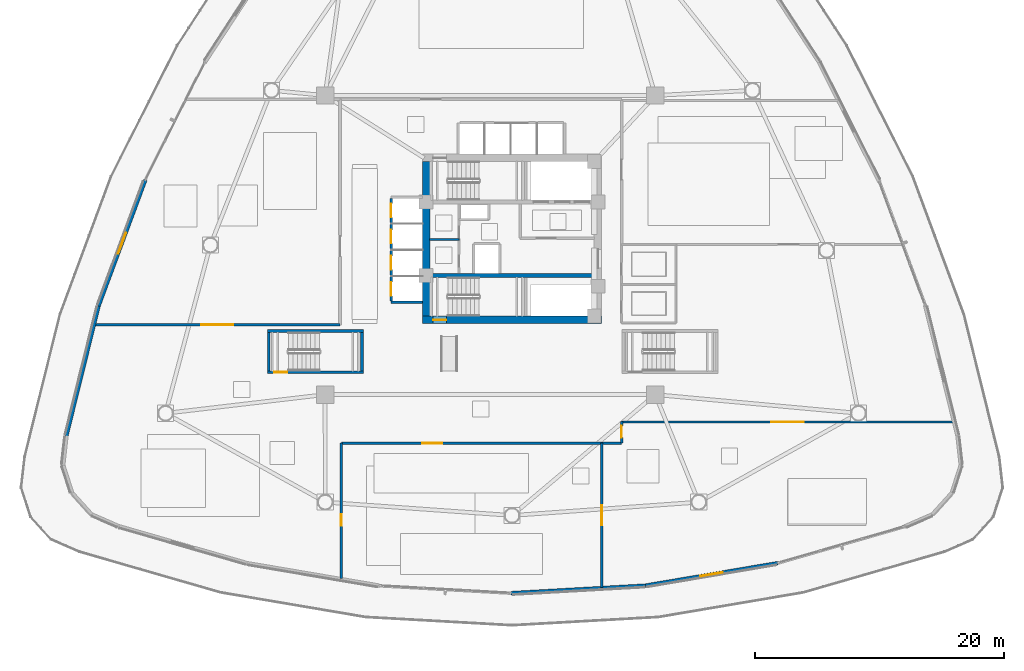
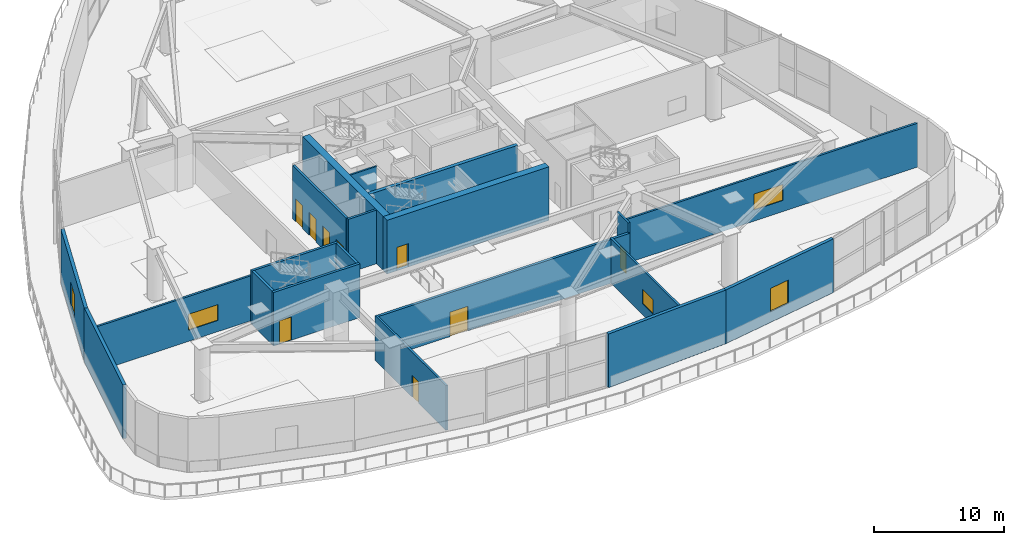
# One storey, part 13 of 25: 20 walls, 9 doors, 5 windows, 14 openings.
"""IFC4 building model written with IfcOpenShell, lengths in metres."""

from ifc_helpers import new_model, si_unit, direction, frame, frame_2d, origin, place, context, subcontext, project, spatial, rectangle, extrude, material, layer, layer_set, type_object, element, fill, save


model = new_model("IFC4")

# Units and contexts
model_context = context("Model", 3, precision=1e-05, world=origin(), true_north=direction((0.0, 1.0)))
body_context = subcontext(model_context, "Body", "Model", "MODEL_VIEW")
ifc_project = project(units=[si_unit("LENGTHUNIT", "METRE"), si_unit("AREAUNIT", "SQUARE_METRE"), si_unit("VOLUMEUNIT", "CUBIC_METRE"), si_unit("PLANEANGLEUNIT", "RADIAN"), si_unit("MASSUNIT", "GRAM", prefix="KILO")], contexts=[model_context])

# Site, building, storey
site_placement = place(None, origin())
site = spatial("IfcSite", under=ifc_project, at=site_placement, CompositionType="ELEMENT")
building_placement = place(site_placement, origin())
building = spatial("IfcBuilding", under=site, at=building_placement, Name="Tavelor Broadcast Tower", CompositionType="ELEMENT")
storey_placement = place(building_placement, frame((0.0, 0.0, 11.39990234375)))
storey = spatial("IfcBuildingStorey", under=building, at=storey_placement, Name="L02", CompositionType="ELEMENT", Elevation=11.39990234375)

# Wall, opening, door
ifc_material_1 = material(Name="Concrete C60/75", Category="concrete")
ifc_layer_1 = layer(ifc_material_1, 0.60009765625)
ifc_layer_set_1 = layer_set([ifc_layer_1], Name="Concrete C60/75")
wall_type_1 = type_object("IfcWallType", Name="Core Shear Wall 600 mm", PredefinedType="SHEAR", material=ifc_layer_set_1)
wall_1_placement = place(storey_placement, frame((42.800048828125, 38.5, 0.0), z_axis=(0.0, 0.0, 1.0), x_axis=(1.0, 0.0, 0.0)))
wall_1 = element("IfcWall", 1, at=wall_1_placement, inside=storey, type_object=wall_type_1, Name="L02 Central Core Shear Wall S", PredefinedType="SHEAR", context=body_context, shape_type="SweptSolid", body=[
    extrude(rectangle(XDim=14.39990234375, YDim=0.60009765625, at=frame_2d((7.199951171875, 0.0))), origin(), (0.0, 0.0, 1.0), 5.050048828125),
])
opening_1_placement = place(wall_1_placement, frame((0.8798828125, 0.0, 0.0)))
opening_1 = element("IfcOpeningElement", 2, at=opening_1_placement, cuts=wall_1, Name="Opening DR11", PredefinedType="OPENING", context=body_context, shape_type="SweptSolid", body=[
    extrude(rectangle(XDim=1.050048828125, YDim=2.199951171875, at=frame_2d((0.52490234375, 1.10009765625))), frame((0.0, 0.31005859375, 0.0), z_axis=(0.0, -1.0, 0.0), x_axis=(1.0, 0.0, 0.0)), (0.0, 0.0, 1.0), 0.6201171875),
])
ifc_material_2 = material(Name="Steel S355", Category="steel")
door_type_1 = type_object("IfcDoorType", Name="Stair Core Fire Escape Door 1050x2200", OperationType="NOTDEFINED", PredefinedType="DOOR", material=ifc_material_2)
door_1_placement = place(opening_1_placement, origin())
door_1 = element("IfcDoor", 3, at=door_1_placement, inside=storey, type_object=door_type_1, Name="L02 Stair ST2 Protected Exit Door", OperationType="SINGLE_SWING_RIGHT", OverallHeight=2.199951171875, OverallWidth=1.050048828125, PredefinedType="DOOR", context=body_context, shape_type="SweptSolid", body=[
    extrude(rectangle(XDim=1.050048828125, YDim=2.199951171875, at=frame_2d((0.52490234375, 1.10009765625))), frame((0.0, 0.02490234375, 0.0), z_axis=(0.0, -1.0, 0.0), x_axis=(1.0, 0.0, 0.0)), (0.0, 0.0, 1.0), 0.050048828125),
])
fill(opening_1, door_1)

# Walls
wall_2_placement = place(storey_placement, frame((43.10009765625, 38.800048828125, 0.0), z_axis=(0.0, 0.0, 1.0), x_axis=(0.0, 1.0, 0.0)))
element("IfcWall", 4, at=wall_2_placement, inside=storey, type_object=wall_type_1, Name="L02 Central Core Shear Wall W", PredefinedType="SHEAR", context=body_context, shape_type="SweptSolid", body=[
    extrude(rectangle(XDim=12.39990234375, YDim=0.60009765625, at=frame_2d((6.199951171875, 0.0))), origin(), (0.0, 0.0, 1.0), 5.050048828125),
])
ifc_layer_2 = layer(ifc_material_1, 0.300048828125)
ifc_layer_set_2 = layer_set([ifc_layer_2], Name="Concrete C60/75")
wall_type_2 = type_object("IfcWallType", Name="Core Spine Shear Wall 300 mm C60", PredefinedType="SHEAR", material=ifc_layer_set_2)
wall_3_placement = place(storey_placement, frame((43.39990234375, 42.050048828125, 0.0), z_axis=(0.0, 0.0, 1.0), x_axis=(1.0, 0.0, 0.0)))
element("IfcWall", 5, at=wall_3_placement, inside=storey, type_object=wall_type_2, Name="L02 Central Core Shear Wall SP2", PredefinedType="SHEAR", context=body_context, shape_type="SweptSolid", body=[
    extrude(rectangle(XDim=13.2001953125, YDim=0.300048828125, at=frame_2d((6.60009765625, 0.0))), origin(), (0.0, 0.0, 1.0), 5.050048828125),
])

# Wall, opening, door
ifc_material_3 = material(Name="Calcium Silicate Fire Board 180 mm", Category="gypsum")
ifc_layer_3 = layer(ifc_material_3, 0.179931640625)
ifc_layer_set_3 = layer_set([ifc_layer_3], Name="Calcium Silicate Fire Board 180 mm")
wall_type_3 = type_object("IfcWallType", Name="Fire-Rated Corridor Partition Wall 180 mm", PredefinedType="PARTITIONING", material=ifc_layer_set_3)
wall_4_placement = place(storey_placement, frame((36.300048828125, 17.730712890625, 0.0), z_axis=(0.0, 0.0, 1.0), x_axis=(0.0, 1.0, 0.0)))
wall_4 = element("IfcWall", 6, at=wall_4_placement, inside=storey, type_object=wall_type_3, Name="L02 South-West Wing Wall", PredefinedType="PARTITIONING", context=body_context, shape_type="SweptSolid", body=[
    extrude(rectangle(XDim=10.869384765625, YDim=0.179931640625, at=frame_2d((5.4345703125, 0.0))), origin(), (0.0, 0.0, 1.0), 4.22509765625),
])
opening_2_placement = place(wall_4_placement, frame((4.22998046875, 0.0, 0.0)))
opening_2 = element("IfcOpeningElement", 7, at=opening_2_placement, cuts=wall_4, Name="Opening DR18", PredefinedType="OPENING", context=body_context, shape_type="SweptSolid", body=[
    extrude(rectangle(XDim=0.949951171875, YDim=2.050048828125, at=frame_2d((0.47509765625, 1.02490234375))), frame((0.0, 0.10009765625, 0.0), z_axis=(0.0, -1.0, 0.0), x_axis=(1.0, 0.0, 0.0)), (0.0, 0.0, 1.0), 0.199951171875),
])
ifc_material_4 = material(Name="Timber Solid Core Hardwood", Category="wood")
door_type_2 = type_object("IfcDoorType", Name="Corridor Rated Compartment Door 950x2050", OperationType="NOTDEFINED", PredefinedType="DOOR", material=ifc_material_4)
door_2_placement = place(opening_2_placement, origin())
door_2 = element("IfcDoor", 8, at=door_2_placement, inside=storey, type_object=door_type_2, Name="L02 Music Mixing Control Room Door", OperationType="SINGLE_SWING_RIGHT", OverallHeight=2.050048828125, OverallWidth=0.949951171875, PredefinedType="DOOR", context=body_context, shape_type="SweptSolid", body=[
    extrude(rectangle(XDim=0.949951171875, YDim=2.050048828125, at=frame_2d((0.47509765625, 1.02490234375))), frame((0.0, 0.02490234375, 0.0), z_axis=(0.0, -1.0, 0.0), x_axis=(1.0, 0.0, 0.0)), (0.0, 0.0, 1.0), 0.050048828125),
])
fill(opening_2, door_2)

wall_5_placement = place(storey_placement, frame((58.800048828125, 28.60009765625, 0.0), z_axis=(0.0, 0.0, 1.0), x_axis=(0.0, 1.0, 0.0)))
wall_5 = element("IfcWall", 9, at=wall_5_placement, inside=storey, type_object=wall_type_3, Name="L02 South-East Concourse Door Wall", PredefinedType="PARTITIONING", context=body_context, shape_type="SweptSolid", body=[
    extrude(rectangle(XDim=1.75, YDim=0.179931640625, at=frame_2d((0.875, 0.0))), origin(), (0.0, 0.0, 1.0), 5.050048828125),
])
opening_3_placement = place(wall_5_placement, frame((0.449951171875, 0.0, 0.0)))
opening_3 = element("IfcOpeningElement", 10, at=opening_3_placement, cuts=wall_5, Name="Opening DR18", PredefinedType="OPENING", context=body_context, shape_type="SweptSolid", body=[
    extrude(rectangle(XDim=0.949951171875, YDim=2.050048828125, at=frame_2d((0.47509765625, 1.02490234375))), frame((0.0, 0.10009765625, 0.0), z_axis=(0.0, -1.0, 0.0), x_axis=(1.0, 0.0, 0.0)), (0.0, 0.0, 1.0), 0.199951171875),
])
door_3_placement = place(opening_3_placement, origin())
door_3 = element("IfcDoor", 11, at=door_3_placement, inside=storey, type_object=door_type_2, Name="L02 Sound Effects Library Concourse Door", OperationType="SINGLE_SWING_LEFT", OverallHeight=2.050048828125, OverallWidth=0.949951171875, PredefinedType="DOOR", context=body_context, shape_type="SweptSolid", body=[
    extrude(rectangle(XDim=0.949951171875, YDim=2.050048828125, at=frame_2d((0.47509765625, 1.02490234375))), frame((0.0, 0.02490234375, 0.0), z_axis=(0.0, -1.0, 0.0), x_axis=(1.0, 0.0, 0.0)), (0.0, 0.0, 1.0), 0.050048828125),
])
fill(opening_3, door_3)

# Wall, opening, window
wall_6_placement = place(storey_placement, frame((58.800048828125, 30.300048828125, 0.0), z_axis=(0.0, 0.0, 1.0), x_axis=(1.0, 0.0, 0.0)))
wall_6 = element("IfcWall", 12, at=wall_6_placement, inside=storey, type_object=wall_type_3, Name="L02 South-East Wing North Wall", PredefinedType="PARTITIONING", context=body_context, shape_type="SweptSolid", body=[
    extrude(rectangle(XDim=26.6328125, YDim=0.179931640625, at=frame_2d((13.31640625, 0.0))), origin(), (0.0, 0.0, 1.0), 4.125),
])
opening_4_placement = place(wall_6_placement, frame((12.016357421875, 0.0, 1.050048828125)))
opening_4 = element("IfcOpeningElement", 13, at=opening_4_placement, cuts=wall_6, Name="Opening WN04", PredefinedType="OPENING", context=body_context, shape_type="SweptSolid", body=[
    extrude(rectangle(XDim=2.60009765625, YDim=1.5, at=frame_2d((1.300048828125, 0.75))), frame((0.0, 0.10009765625, 0.0), z_axis=(0.0, -1.0, 0.0), x_axis=(1.0, 0.0, 0.0)), (0.0, 0.0, 1.0), 0.199951171875),
])
ifc_material_5 = material(Name="Acoustic Double Glazing 28 mm", Category="glass")
window_type_1 = type_object("IfcWindowType", Name="Studio Control Gallery Triple-Glazed Observation Window 2600x1500", PartitioningType="SINGLE_PANEL", PredefinedType="WINDOW", material=ifc_material_5)
window_1_placement = place(opening_4_placement, origin())
window_1 = element("IfcWindow", 14, at=window_1_placement, inside=storey, type_object=window_type_1, Name="L02 Studio Acoustic Observation Window 011", OverallHeight=1.5, OverallWidth=2.60009765625, PartitioningType="SINGLE_PANEL", PredefinedType="WINDOW", context=body_context, shape_type="SweptSolid", body=[
    extrude(rectangle(XDim=2.60009765625, YDim=1.5, at=frame_2d((1.300048828125, 0.75))), frame((0.0, 0.030029296875, 0.0), z_axis=(0.0, -1.0, 0.0), x_axis=(1.0, 0.0, 0.0)), (0.0, 0.0, 1.0), 0.06005859375),
])
fill(opening_4, window_1)

wall_7_placement = place(storey_placement, frame((57.199951171875, 17.0234375, 0.0), z_axis=(0.0, 0.0, 1.0), x_axis=(0.0, 1.0, 0.0)))
wall_7 = element("IfcWall", 15, at=wall_7_placement, inside=storey, type_object=wall_type_3, Name="L02 South-East Wing West Wall", PredefinedType="PARTITIONING", context=body_context, shape_type="SweptSolid", body=[
    extrude(rectangle(XDim=11.57666015625, YDim=0.179931640625, at=frame_2d((5.788330078125, 0.0))), origin(), (0.0, 0.0, 1.0), 4.22509765625),
])
opening_5_placement = place(wall_7_placement, frame((4.98828125, 0.0, 1.050048828125)))
opening_5 = element("IfcOpeningElement", 16, at=opening_5_placement, cuts=wall_7, Name="Opening WN05", PredefinedType="OPENING", context=body_context, shape_type="SweptSolid", body=[
    extrude(rectangle(XDim=1.60009765625, YDim=1.35009765625, at=frame_2d((0.800048828125, 0.675048828125))), frame((0.0, 0.10009765625, 0.0), z_axis=(0.0, -1.0, 0.0), x_axis=(1.0, 0.0, 0.0)), (0.0, 0.0, 1.0), 0.199951171875),
])
window_type_2 = type_object("IfcWindowType", Name="Audio Booth Acoustic Observation Window 1600x1350", PartitioningType="SINGLE_PANEL", PredefinedType="WINDOW", material=ifc_material_5)
window_2_placement = place(opening_5_placement, origin())
window_2 = element("IfcWindow", 17, at=window_2_placement, inside=storey, type_object=window_type_2, Name="L02 Studio Acoustic Observation Window 012", OverallHeight=1.35009765625, OverallWidth=1.60009765625, PartitioningType="SINGLE_PANEL", PredefinedType="WINDOW", context=body_context, shape_type="SweptSolid", body=[
    extrude(rectangle(XDim=1.60009765625, YDim=1.35009765625, at=frame_2d((0.800048828125, 0.675048828125))), frame((0.0, 0.030029296875, 0.0), z_axis=(0.0, -1.0, 0.0), x_axis=(1.0, 0.0, 0.0)), (0.0, 0.0, 1.0), 0.06005859375),
])
fill(opening_5, window_2)

wall_8_placement = place(storey_placement, frame((16.50048828125, 38.10009765625, 0.0), z_axis=(0.0, 0.0, 1.0), x_axis=(1.0, 0.0, 0.0)))
wall_8 = element("IfcWall", 18, at=wall_8_placement, inside=storey, type_object=wall_type_3, Name="L02 West Hall South Wall", PredefinedType="PARTITIONING", context=body_context, shape_type="SweptSolid", body=[
    extrude(rectangle(XDim=19.699462890625, YDim=0.179931640625, at=frame_2d((9.849609375, 0.0))), origin(), (0.0, 0.0, 1.0), 4.22509765625),
])
opening_6_placement = place(wall_8_placement, frame((8.5498046875, 0.0, 1.050048828125)))
opening_6 = element("IfcOpeningElement", 19, at=opening_6_placement, cuts=wall_8, Name="Opening WN04", PredefinedType="OPENING", context=body_context, shape_type="SweptSolid", body=[
    extrude(rectangle(XDim=2.60009765625, YDim=1.5, at=frame_2d((1.300048828125, 0.75))), frame((0.0, 0.10009765625, 0.0), z_axis=(0.0, -1.0, 0.0), x_axis=(1.0, 0.0, 0.0)), (0.0, 0.0, 1.0), 0.199951171875),
])
window_3_placement = place(opening_6_placement, origin())
window_3 = element("IfcWindow", 20, at=window_3_placement, inside=storey, type_object=window_type_1, Name="L02 Studio Acoustic Observation Window 013", OverallHeight=1.5, OverallWidth=2.60009765625, PartitioningType="SINGLE_PANEL", PredefinedType="WINDOW", context=body_context, shape_type="SweptSolid", body=[
    extrude(rectangle(XDim=2.60009765625, YDim=1.5, at=frame_2d((1.300048828125, 0.75))), frame((0.0, 0.030029296875, 0.0), z_axis=(0.0, -1.0, 0.0), x_axis=(1.0, 0.0, 0.0)), (0.0, 0.0, 1.0), 0.06005859375),
])
fill(opening_6, window_3)

ifc_material_6 = material(Name="Precast Concrete C40/50", Category="concrete")
ifc_layer_4 = layer(ifc_material_6, 0.280029296875)
ifc_layer_set_4 = layer_set([ifc_layer_4], Name="Precast Concrete C40/50")
wall_type_4 = type_object("IfcWallType", Name="Insulated Precast Terracotta Facade Wall 280 mm", PredefinedType="STANDARD", material=ifc_layer_set_4)
wall_9_placement = place(storey_placement, frame((20.582763671875, 49.71240234375, 0.0), z_axis=(0.0, 0.0, 1.0), x_axis=(-0.347783760558, -0.937574773494, 0.0)))
wall_9 = element("IfcWall", 21, at=wall_9_placement, inside=storey, type_object=wall_type_4, Name="L02 Precast Terracotta Facade Wall 09", PredefinedType="STANDARD", context=body_context, shape_type="SweptSolid", body=[
    extrude(rectangle(XDim=10.806396484375, YDim=0.280029296875, at=frame_2d((5.4033203125, 0.0))), origin(), (0.0, 0.0, 1.0), 5.050048828125),
])
opening_7_placement = place(wall_9_placement, frame((4.503173828125, 0.0, 1.0)))
opening_7 = element("IfcOpeningElement", 22, at=opening_7_placement, cuts=wall_9, Name="Opening WN11", PredefinedType="OPENING", context=body_context, shape_type="SweptSolid", body=[
    extrude(rectangle(XDim=1.800048828125, YDim=2.199951171875, at=frame_2d((0.89990234375, 1.10009765625))), frame((0.0, 0.14990234375, 0.0), z_axis=(0.0, -1.0, 0.0), x_axis=(1.0, 0.0, 0.0)), (0.0, 0.0, 1.0), 0.300048828125),
])
window_type_3 = type_object("IfcWindowType", Name="Podium Studio Acoustic Punched Window 1800x2200", PartitioningType="SINGLE_PANEL", PredefinedType="WINDOW", material=ifc_material_5)
window_4_placement = place(opening_7_placement, origin())
window_4 = element("IfcWindow", 23, at=window_4_placement, inside=storey, type_object=window_type_3, Name="L02 Broadcast Facade Window 09", OverallHeight=2.199951171875, OverallWidth=1.800048828125, PartitioningType="SINGLE_PANEL", PredefinedType="WINDOW", context=body_context, shape_type="SweptSolid", body=[
    extrude(rectangle(XDim=1.800048828125, YDim=2.199951171875, at=frame_2d((0.89990234375, 1.10009765625))), frame((0.0, 0.030029296875, 0.0), z_axis=(0.0, -1.0, 0.0), x_axis=(1.0, 0.0, 0.0)), (0.0, 0.0, 1.0), 0.06005859375),
])
fill(opening_7, window_4)

# Walls
wall_10_placement = place(storey_placement, frame((16.833251953125, 39.609130859375, 0.0), z_axis=(0.0, 0.0, 1.0), x_axis=(-0.240573262199, -0.970630983183, 0.0)))
element("IfcWall", 24, at=wall_10_placement, inside=storey, type_object=wall_type_4, Name="L02 Precast Terracotta Facade Wall 10", PredefinedType="STANDARD", context=body_context, shape_type="SweptSolid", body=[
    extrude(rectangle(XDim=10.74609375, YDim=0.280029296875, at=frame_2d((5.373046875, 0.0))), origin(), (0.0, 0.0, 1.0), 5.050048828125),
])
wall_11_placement = place(storey_placement, frame((49.926025390625, 16.57470703125, 0.0), z_axis=(0.0, 0.0, 1.0), x_axis=(0.998425400469, 0.056095629935, 0.0)))
element("IfcWall", 25, at=wall_11_placement, inside=storey, type_object=wall_type_4, Name="L02 Precast Terracotta Facade Wall 18", PredefinedType="STANDARD", context=body_context, shape_type="SweptSolid", body=[
    extrude(rectangle(XDim=10.806640625, YDim=0.280029296875, at=frame_2d((5.4033203125, 0.0))), origin(), (0.0, 0.0, 1.0), 5.050048828125),
])

# Wall, opening, window
wall_12_placement = place(storey_placement, frame((60.685791015625, 17.177490234375, 0.0), z_axis=(0.0, 0.0, 1.0), x_axis=(0.985852561555, 0.16761481699, 0.0)))
wall_12 = element("IfcWall", 26, at=wall_12_placement, inside=storey, type_object=wall_type_4, Name="L02 Precast Terracotta Facade Wall 19", PredefinedType="STANDARD", context=body_context, shape_type="SweptSolid", body=[
    extrude(rectangle(XDim=10.80615234375, YDim=0.280029296875, at=frame_2d((5.403076171875, 0.0))), origin(), (0.0, 0.0, 1.0), 5.050048828125),
])
opening_8_placement = place(wall_12_placement, frame((4.503173828125, 0.0, 1.0)))
opening_8 = element("IfcOpeningElement", 27, at=opening_8_placement, cuts=wall_12, Name="Opening WN11", PredefinedType="OPENING", context=body_context, shape_type="SweptSolid", body=[
    extrude(rectangle(XDim=1.800048828125, YDim=2.199951171875, at=frame_2d((0.89990234375, 1.10009765625))), frame((0.0, 0.14990234375, 0.0), z_axis=(0.0, -1.0, 0.0), x_axis=(1.0, 0.0, 0.0)), (0.0, 0.0, 1.0), 0.300048828125),
])
window_5_placement = place(opening_8_placement, origin())
window_5 = element("IfcWindow", 28, at=window_5_placement, inside=storey, type_object=window_type_3, Name="L02 Broadcast Facade Window 19", OverallHeight=2.199951171875, OverallWidth=1.800048828125, PartitioningType="SINGLE_PANEL", PredefinedType="WINDOW", context=body_context, shape_type="SweptSolid", body=[
    extrude(rectangle(XDim=1.800048828125, YDim=2.199951171875, at=frame_2d((0.89990234375, 1.10009765625))), frame((0.0, 0.030029296875, 0.0), z_axis=(0.0, -1.0, 0.0), x_axis=(1.0, 0.0, 0.0)), (0.0, 0.0, 1.0), 0.06005859375),
])
fill(opening_8, window_5)

# Wall
ifc_material_7 = material(Name="Gypsum Acoustic Plasterboard 150 mm", Category="gypsum")
ifc_layer_5 = layer(ifc_material_7, 0.14990234375)
ifc_layer_set_5 = layer_set([ifc_layer_5], Name="Gypsum Acoustic Plasterboard 150 mm")
wall_type_5 = type_object("IfcWallType", Name="Interior Acoustic Partition Wall 150 mm", PredefinedType="PARTITIONING", material=ifc_layer_set_5)
wall_13_placement = place(storey_placement, frame((43.39990234375, 44.949951171875, 0.0), z_axis=(0.0, 0.0, 1.0), x_axis=(1.0, 0.0, 0.0)))
element("IfcWall", 29, at=wall_13_placement, inside=storey, type_object=wall_type_5, Name="L02 Core Split Wall A", PredefinedType="PARTITIONING", context=body_context, shape_type="SweptSolid", body=[
    extrude(rectangle(XDim=2.35009765625, YDim=0.14990234375, at=frame_2d((1.175048828125, 0.0))), origin(), (0.0, 0.0, 1.0), 5.050048828125),
])

# Wall, openings, doors
ifc_material_8 = material(Name="Concrete Blockwork 200 mm", Category="masonry")
ifc_layer_6 = layer(ifc_material_8, 0.199951171875)
ifc_layer_set_6 = layer_set([ifc_layer_6], Name="Concrete Blockwork 200 mm")
wall_type_6 = type_object("IfcWallType", Name="Lift Hoistway Rated Front Wall 200 mm", PredefinedType="PARTITIONING", material=ifc_layer_set_6)
wall_14_placement = place(storey_placement, frame((40.300048828125, 40.02001953125, 0.0), z_axis=(0.0, 0.0, 1.0), x_axis=(0.0, 1.0, 0.0)))
wall_14 = element("IfcWall", 30, at=wall_14_placement, inside=storey, type_object=wall_type_6, Name="L02 Low-Rise Lift Hoistway Front Wall", PredefinedType="PARTITIONING", context=body_context, shape_type="SweptSolid", body=[
    extrude(rectangle(XDim=8.2099609375, YDim=0.199951171875, at=frame_2d((4.10498046875, 0.0))), origin(), (0.0, 0.0, 1.0), 5.050048828125),
])
opening_9_placement = place(wall_14_placement, frame((0.405029296875, 0.0, 0.0)))
opening_9 = element("IfcOpeningElement", 31, at=opening_9_placement, cuts=wall_14, Name="Opening LD01", PredefinedType="OPENING", context=body_context, shape_type="SweptSolid", body=[
    extrude(rectangle(XDim=1.10009765625, YDim=2.14990234375, at=frame_2d((0.550048828125, 1.074951171875))), frame((0.0, 0.10986328125, 0.0), z_axis=(0.0, -1.0, 0.0), x_axis=(1.0, 0.0, 0.0)), (0.0, 0.0, 1.0), 0.219970703125),
])
opening_10_placement = place(wall_14_placement, frame((2.5048828125, 0.0, 0.0)))
opening_10 = element("IfcOpeningElement", 32, at=opening_10_placement, cuts=wall_14, Name="Opening LD01", PredefinedType="OPENING", context=body_context, shape_type="SweptSolid", body=[
    extrude(rectangle(XDim=1.10009765625, YDim=2.14990234375, at=frame_2d((0.550048828125, 1.074951171875))), frame((0.0, 0.10986328125, 0.0), z_axis=(0.0, -1.0, 0.0), x_axis=(1.0, 0.0, 0.0)), (0.0, 0.0, 1.0), 0.219970703125),
])
opening_11_placement = place(wall_14_placement, frame((4.60498046875, 0.0, 0.0)))
opening_11 = element("IfcOpeningElement", 33, at=opening_11_placement, cuts=wall_14, Name="Opening LD01", PredefinedType="OPENING", context=body_context, shape_type="SweptSolid", body=[
    extrude(rectangle(XDim=1.10009765625, YDim=2.14990234375, at=frame_2d((0.550048828125, 1.074951171875))), frame((0.0, 0.10986328125, 0.0), z_axis=(0.0, -1.0, 0.0), x_axis=(1.0, 0.0, 0.0)), (0.0, 0.0, 1.0), 0.219970703125),
])
opening_12_placement = place(wall_14_placement, frame((6.705078125, 0.0, 0.0)))
opening_12 = element("IfcOpeningElement", 34, at=opening_12_placement, cuts=wall_14, Name="Opening LD01", PredefinedType="OPENING", context=body_context, shape_type="SweptSolid", body=[
    extrude(rectangle(XDim=1.10009765625, YDim=2.14990234375, at=frame_2d((0.550048828125, 1.074951171875))), frame((0.0, 0.10986328125, 0.0), z_axis=(0.0, -1.0, 0.0), x_axis=(1.0, 0.0, 0.0)), (0.0, 0.0, 1.0), 0.219970703125),
])
ifc_material_9 = material(Name="Brushed Stainless Steel", Category="steel")
door_type_3 = type_object("IfcDoorType", Name="Passenger Lift Sliding Landing Door 1100x2150", OperationType="NOTDEFINED", PredefinedType="DOOR", material=ifc_material_9)
door_4_placement = place(opening_9_placement, origin())
door_4 = element("IfcDoor", 35, at=door_4_placement, inside=storey, type_object=door_type_3, Name="L02 Lift PLL1 Sliding Landing Door", OperationType="SLIDING_TO_LEFT", OverallHeight=2.14990234375, OverallWidth=1.10009765625, PredefinedType="DOOR", context=body_context, shape_type="SweptSolid", body=[
    extrude(rectangle(XDim=1.10009765625, YDim=2.14990234375, at=frame_2d((0.550048828125, 1.074951171875))), frame((0.0, 0.02490234375, 0.0), z_axis=(0.0, -1.0, 0.0), x_axis=(1.0, 0.0, 0.0)), (0.0, 0.0, 1.0), 0.050048828125),
])
fill(opening_9, door_4)
door_5_placement = place(opening_10_placement, origin())
door_5 = element("IfcDoor", 36, at=door_5_placement, inside=storey, type_object=door_type_3, Name="L02 Lift PLL2 Sliding Landing Door", OperationType="SLIDING_TO_RIGHT", OverallHeight=2.14990234375, OverallWidth=1.10009765625, PredefinedType="DOOR", context=body_context, shape_type="SweptSolid", body=[
    extrude(rectangle(XDim=1.10009765625, YDim=2.14990234375, at=frame_2d((0.550048828125, 1.074951171875))), frame((0.0, 0.02490234375, 0.0), z_axis=(0.0, -1.0, 0.0), x_axis=(1.0, 0.0, 0.0)), (0.0, 0.0, 1.0), 0.050048828125),
])
fill(opening_10, door_5)
door_6_placement = place(opening_11_placement, origin())
door_6 = element("IfcDoor", 37, at=door_6_placement, inside=storey, type_object=door_type_3, Name="L02 Lift PLL3 Sliding Landing Door", OperationType="SLIDING_TO_LEFT", OverallHeight=2.14990234375, OverallWidth=1.10009765625, PredefinedType="DOOR", context=body_context, shape_type="SweptSolid", body=[
    extrude(rectangle(XDim=1.10009765625, YDim=2.14990234375, at=frame_2d((0.550048828125, 1.074951171875))), frame((0.0, 0.02490234375, 0.0), z_axis=(0.0, -1.0, 0.0), x_axis=(1.0, 0.0, 0.0)), (0.0, 0.0, 1.0), 0.050048828125),
])
fill(opening_11, door_6)
door_7_placement = place(opening_12_placement, origin())
door_7 = element("IfcDoor", 38, at=door_7_placement, inside=storey, type_object=door_type_3, Name="L02 Lift PLL4 Sliding Landing Door", OperationType="SLIDING_TO_RIGHT", OverallHeight=2.14990234375, OverallWidth=1.10009765625, PredefinedType="DOOR", context=body_context, shape_type="SweptSolid", body=[
    extrude(rectangle(XDim=1.10009765625, YDim=2.14990234375, at=frame_2d((0.550048828125, 1.074951171875))), frame((0.0, 0.02490234375, 0.0), z_axis=(0.0, -1.0, 0.0), x_axis=(1.0, 0.0, 0.0)), (0.0, 0.0, 1.0), 0.050048828125),
])
fill(opening_12, door_7)

# Wall
ifc_layer_7 = layer(ifc_material_8, 0.199951171875)
ifc_layer_set_7 = layer_set([ifc_layer_7], Name="Concrete Blockwork 200 mm")
wall_type_7 = type_object("IfcWallType", Name="Lift and Riser Shaft Enclosure Wall 200 mm", PredefinedType="PARTITIONING", material=ifc_layer_set_7)
wall_15_placement = place(storey_placement, frame((40.300048828125, 39.89990234375, 0.0), z_axis=(0.0, 0.0, 1.0), x_axis=(1.0, 0.0, 0.0)))
element("IfcWall", 39, at=wall_15_placement, inside=storey, type_object=wall_type_7, Name="L02 Low-Rise Lift Shaft South Wall", PredefinedType="PARTITIONING", context=body_context, shape_type="SweptSolid", body=[
    extrude(rectangle(XDim=2.5, YDim=0.199951171875, at=frame_2d((1.25, 0.0))), origin(), (0.0, 0.0, 1.0), 5.050048828125),
])

# Wall, opening, door
ifc_material_10 = material(Name="Concrete C40/50", Category="concrete")
ifc_layer_8 = layer(ifc_material_10, 0.219970703125)
ifc_layer_set_8 = layer_set([ifc_layer_8], Name="Concrete C40/50")
wall_type_8 = type_object("IfcWallType", Name="Structural Stairwell Shear Wall 220 mm", PredefinedType="SHEAR", material=ifc_layer_set_8)
wall_16_placement = place(storey_placement, frame((30.3798828125, 34.2900390625, 0.0), z_axis=(0.0, 0.0, 1.0), x_axis=(1.0, 0.0, 0.0)))
wall_16 = element("IfcWall", 40, at=wall_16_placement, inside=storey, type_object=wall_type_8, Name="L02 Stair ST3 Structural Shaft Wall S", PredefinedType="SHEAR", context=body_context, shape_type="SweptSolid", body=[
    extrude(rectangle(XDim=7.690185546875, YDim=0.219970703125, at=frame_2d((3.84521484375, 0.0))), origin(), (0.0, 0.0, 1.0), 5.050048828125),
])
opening_13_placement = place(wall_16_placement, frame((0.550048828125, 0.0, 0.0)))
opening_13 = element("IfcOpeningElement", 41, at=opening_13_placement, cuts=wall_16, Name="Opening DR11", PredefinedType="OPENING", context=body_context, shape_type="SweptSolid", body=[
    extrude(rectangle(XDim=1.050048828125, YDim=2.199951171875, at=frame_2d((0.52490234375, 1.10009765625))), frame((0.0, 0.1201171875, 0.0), z_axis=(0.0, -1.0, 0.0), x_axis=(1.0, 0.0, 0.0)), (0.0, 0.0, 1.0), 0.239990234375),
])
door_8_placement = place(opening_13_placement, origin())
door_8 = element("IfcDoor", 42, at=door_8_placement, inside=storey, type_object=door_type_1, Name="L02 Stair ST3 Protected Fire Door", OperationType="SINGLE_SWING_RIGHT", OverallHeight=2.199951171875, OverallWidth=1.050048828125, PredefinedType="DOOR", context=body_context, shape_type="SweptSolid", body=[
    extrude(rectangle(XDim=1.050048828125, YDim=2.199951171875, at=frame_2d((0.52490234375, 1.10009765625))), frame((0.0, 0.02490234375, 0.0), z_axis=(0.0, -1.0, 0.0), x_axis=(1.0, 0.0, 0.0)), (0.0, 0.0, 1.0), 0.050048828125),
])
fill(opening_13, door_8)

# Walls
wall_17_placement = place(storey_placement, frame((30.3798828125, 37.610107421875, 0.0), z_axis=(0.0, 0.0, 1.0), x_axis=(1.0, 0.0, 0.0)))
element("IfcWall", 43, at=wall_17_placement, inside=storey, type_object=wall_type_8, Name="L02 Stair ST3 Structural Shaft Wall N", PredefinedType="SHEAR", context=body_context, shape_type="SweptSolid", body=[
    extrude(rectangle(XDim=7.690185546875, YDim=0.219970703125, at=frame_2d((3.84521484375, 0.0))), origin(), (0.0, 0.0, 1.0), 5.050048828125),
])
for number, where, z_axis, x_axis, name in (
    (44, (37.9599609375, 34.39990234375, 0.0), (0.0, 0.0, 1.0), (0.0, 1.0, 0.0), "L02 Stair ST3 Structural Shaft Wall E"),
    (45, (30.489990234375, 34.39990234375, 0.0), (0.0, 0.0, 1.0), (0.0, 1.0, 0.0), "L02 Stair ST3 Structural Shaft Wall W"),
):
    element("IfcWall", number, at=place(storey_placement, frame(where, z_axis=z_axis, x_axis=x_axis)), inside=storey, type_object=wall_type_8, Name=name, PredefinedType="SHEAR", context=body_context, shape_type="SweptSolid", body=[
        extrude(rectangle(XDim=3.10009765625, YDim=0.219970703125, at=frame_2d((1.550048828125, 0.0))), origin(), (0.0, 0.0, 1.0), 5.050048828125),
    ])

# Wall, opening, door
ifc_material_11 = material(Name="Masonry Blockwork 220 mm", Category="masonry")
ifc_layer_9 = layer(ifc_material_11, 0.219970703125)
ifc_layer_set_9 = layer_set([ifc_layer_9], Name="Masonry Blockwork 220 mm")
wall_type_9 = type_object("IfcWallType", Name="Studio Double-Leaf Acoustic Isolation Wall 220 mm", PredefinedType="PARTITIONING", material=ifc_layer_set_9)
wall_18_placement = place(storey_placement, frame((36.300048828125, 28.60009765625, 0.0), z_axis=(0.0, 0.0, 1.0), x_axis=(1.0, 0.0, 0.0)))
wall_18 = element("IfcWall", 46, at=wall_18_placement, inside=storey, type_object=wall_type_9, Name="L02 South Studio Concourse Wall", PredefinedType="PARTITIONING", context=body_context, shape_type="SweptSolid", body=[
    extrude(rectangle(XDim=22.5, YDim=0.219970703125, at=frame_2d((11.25, 0.0))), origin(), (0.0, 0.0, 1.0), 4.125),
])
opening_14_placement = place(wall_18_placement, frame((6.5, 0.0, 0.0)))
opening_14 = element("IfcOpeningElement", 47, at=opening_14_placement, cuts=wall_18, Name="Opening DR27", PredefinedType="OPENING", context=body_context, shape_type="SweptSolid", body=[
    extrude(rectangle(XDim=1.60009765625, YDim=2.300048828125, at=frame_2d((0.800048828125, 1.14990234375))), frame((0.0, 0.1201171875, 0.0), z_axis=(0.0, -1.0, 0.0), x_axis=(1.0, 0.0, 0.0)), (0.0, 0.0, 1.0), 0.239990234375),
])
ifc_material_12 = material(Name="Steel Acoustic Composite", Category="steel")
door_type_4 = type_object("IfcDoorType", Name="Studio Acoustic Sound-Lock Double Door 1600x2300", OperationType="NOTDEFINED", PredefinedType="DOOR", material=ifc_material_12)
door_9_placement = place(opening_14_placement, origin())
door_9 = element("IfcDoor", 48, at=door_9_placement, inside=storey, type_object=door_type_4, Name="L02 Radio Drama Acoustic Studio Door", OperationType="SINGLE_SWING_LEFT", OverallHeight=2.300048828125, OverallWidth=1.60009765625, PredefinedType="DOOR", context=body_context, shape_type="SweptSolid", body=[
    extrude(rectangle(XDim=1.60009765625, YDim=2.300048828125, at=frame_2d((0.800048828125, 1.14990234375))), frame((0.0, 0.02490234375, 0.0), z_axis=(0.0, -1.0, 0.0), x_axis=(1.0, 0.0, 0.0)), (0.0, 0.0, 1.0), 0.050048828125),
])
fill(opening_14, door_9)

save(model, "model.ifc")
